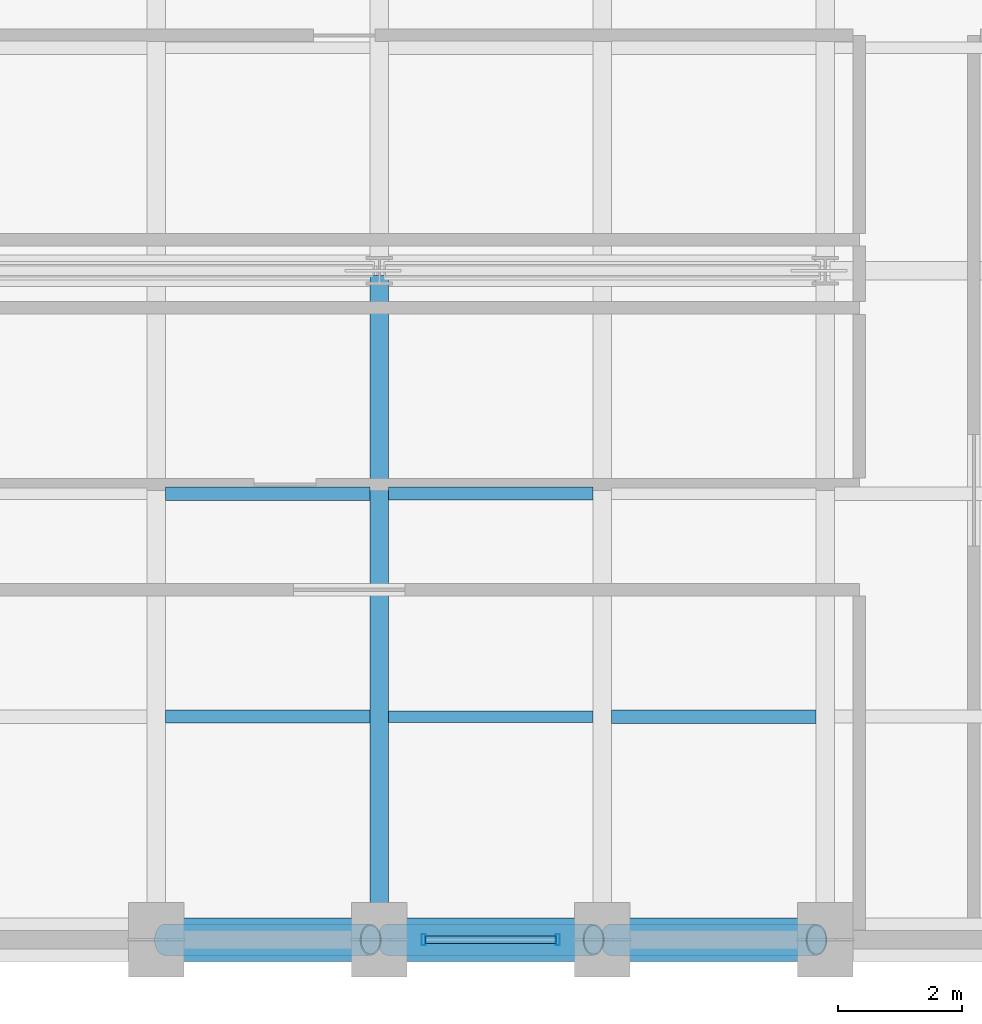
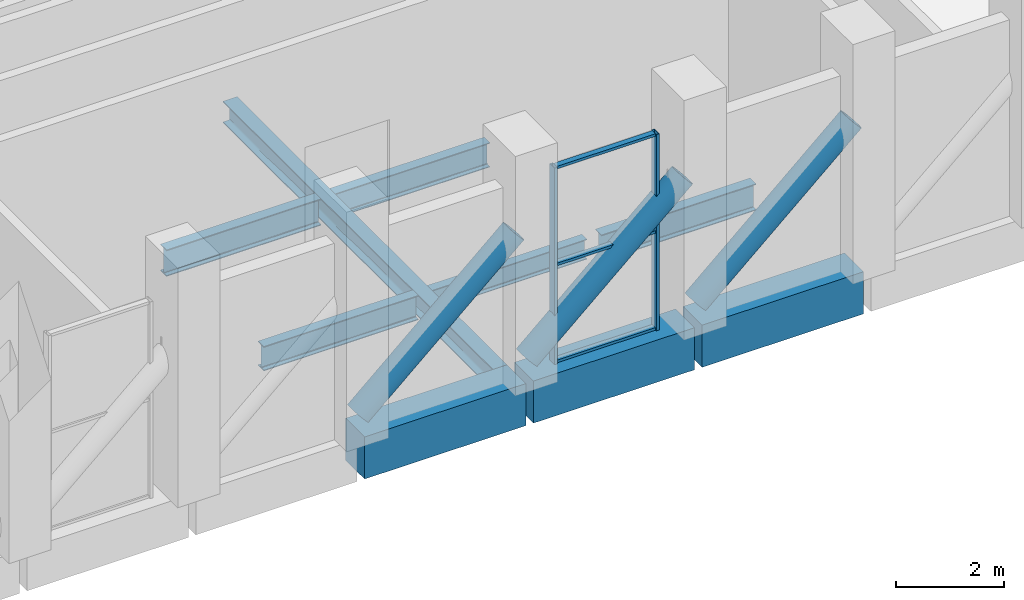
# One storey, part 10 of 27: 9 beams, 8 members, 1 element without a shape of its own.
"""IFC4 building model written with IfcOpenShell, lengths in metres."""

from ifc_helpers import new_model, si_unit, direction, frame, origin, origin_2d, place, context, subcontext, project, spatial, rectangle, hollow_rectangle, hollow_circle, i_section, extrude, material, layer, layer_set, material_profile, profile_set, type_object, element, aggregate, save


model = new_model("IFC4")

# Units and contexts
model_context = context("Model", 3, precision=1e-05, world=origin(), true_north=direction((0.0, 1.0)))
body_context = subcontext(model_context, "Body", "Model", "MODEL_VIEW")
ifc_project = project(units=[si_unit("LENGTHUNIT", "METRE"), si_unit("AREAUNIT", "SQUARE_METRE"), si_unit("VOLUMEUNIT", "CUBIC_METRE"), si_unit("PLANEANGLEUNIT", "RADIAN"), si_unit("MASSUNIT", "GRAM", prefix="KILO")], contexts=[model_context])

# Site, building, storey
site_placement = place(None, origin())
site = spatial("IfcSite", under=ifc_project, at=site_placement, CompositionType="ELEMENT")
building_placement = place(site_placement, origin())
building = spatial("IfcBuilding", under=site, at=building_placement, Name="Solnavia Interchange Tower", CompositionType="ELEMENT")
storey_placement = place(building_placement, frame((0.0, 0.0, 74.699951171875)))
storey = spatial("IfcBuildingStorey", under=building, at=storey_placement, Name="L18", CompositionType="ELEMENT", Elevation=74.699951171875)

# Beams
ifc_material_1 = material(Name="Steel S355", Category="steel")
ifc_material_profile_1 = material_profile(ifc_material_1, i_section(OverallWidth=0.18994140625, OverallDepth=0.449951171875, WebThickness=0.009521484375, FlangeThickness=0.0146484375, FilletRadius=0.02099609375, at=origin_2d()), Name="IPE 450")
ifc_profile_set_1 = profile_set([ifc_material_profile_1], Name="Steel S355")
beam_type_1 = type_object("IfcBeamType", Name="Beam-Joist-IPE450", PredefinedType="JOIST", material=ifc_profile_set_1)
beam_1_placement = place(storey_placement, frame((43.35009765625, 7.199951171875, -0.544921875), z_axis=(1.0, 0.0, 0.0), x_axis=(0.0, 1.0, 0.0)))
element("IfcBeam", 1, at=beam_1_placement, inside=storey, type_object=beam_type_1, Name="JST-L18-E03 East wing secondary joist", PredefinedType="JOIST", context=body_context, shape_type="SweptSolid", body=[
    extrude(i_section(OverallWidth=0.18994140625, OverallDepth=0.449951171875, WebThickness=0.009521484375, FlangeThickness=0.0146484375, FilletRadius=0.02099609375, at=origin_2d()), origin(), (0.0, 0.0, 1.0), 3.2998046875),
])
ifc_material_profile_2 = material_profile(ifc_material_1, i_section(OverallWidth=0.2099609375, OverallDepth=0.550048828125, WebThickness=0.010986328125, FlangeThickness=0.01708984375, FilletRadius=0.02392578125, at=origin_2d()), Name="IPE 550")
ifc_profile_set_2 = profile_set([ifc_material_profile_2], Name="Steel S355")
beam_type_2 = type_object("IfcBeamType", Name="Beam-Joist-IPE550", PredefinedType="JOIST", material=ifc_profile_set_2)
beam_2_placement = place(storey_placement, frame((39.75, 7.199951171875, -0.594970703125), z_axis=(1.0, 0.0, 0.0), x_axis=(0.0, 1.0, 0.0)))
element("IfcBeam", 2, at=beam_2_placement, inside=storey, type_object=beam_type_2, Name="JST-L18-E02 East wing secondary joist", PredefinedType="JOIST", context=body_context, shape_type="SweptSolid", body=[
    extrude(i_section(OverallWidth=0.2099609375, OverallDepth=0.550048828125, WebThickness=0.010986328125, FlangeThickness=0.01708984375, FilletRadius=0.02392578125, at=origin_2d()), origin(), (0.0, 0.0, 1.0), 3.300048828125),
])
beam_3_placement = place(storey_placement, frame((43.35009765625, 10.800048828125, -0.594970703125), z_axis=(1.0, 0.0, 0.0), x_axis=(0.0, 1.0, 0.0)))
element("IfcBeam", 3, at=beam_3_placement, inside=storey, type_object=beam_type_2, Name="JST-L18-E08 East wing secondary joist", PredefinedType="JOIST", context=body_context, shape_type="SweptSolid", body=[
    extrude(i_section(OverallWidth=0.2099609375, OverallDepth=0.550048828125, WebThickness=0.010986328125, FlangeThickness=0.01708984375, FilletRadius=0.02392578125, at=origin_2d()), origin(), (0.0, 0.0, 1.0), 3.2998046875),
])
ifc_material_profile_3 = material_profile(ifc_material_1, i_section(OverallWidth=0.219970703125, OverallDepth=0.60009765625, WebThickness=0.011962890625, FlangeThickness=0.01904296875, FilletRadius=0.02392578125, at=origin_2d()), Name="IPE 600")
ifc_profile_set_3 = profile_set([ifc_material_profile_3], Name="Steel S355")
beam_type_3 = type_object("IfcBeamType", Name="Beam-Joist-IPE600", PredefinedType="JOIST", material=ifc_profile_set_3)
for number, where, z_axis, x_axis, name in (
    (4, (46.949951171875, 7.199951171875, -0.619873046875), (1.0, 0.0, 0.0), (0.0, 1.0, 0.0), "JST-L18-E04 East wing secondary joist"),
    (5, (39.75, 10.800048828125, -0.619873046875), (1.0, 0.0, 0.0), (0.0, 1.0, 0.0), "JST-L18-E07 East wing secondary joist"),
):
    element("IfcBeam", number, at=place(storey_placement, frame(where, z_axis=z_axis, x_axis=x_axis)), inside=storey, type_object=beam_type_3, Name=name, PredefinedType="JOIST", context=body_context, shape_type="SweptSolid", body=[
        extrude(i_section(OverallWidth=0.219970703125, OverallDepth=0.60009765625, WebThickness=0.011962890625, FlangeThickness=0.01904296875, FilletRadius=0.02392578125, at=origin_2d()), origin(), (0.0, 0.0, 1.0), 3.300048828125),
    ])
ifc_material_profile_4 = material_profile(ifc_material_1, i_section(OverallWidth=0.300048828125, OverallDepth=0.489990234375, WebThickness=0.011962890625, FlangeThickness=0.02294921875, FilletRadius=0.027099609375, at=origin_2d()), Name="HEA 500")
ifc_profile_set_4 = profile_set([ifc_material_profile_4], Name="Steel S355")
beam_type_4 = type_object("IfcBeamType", Name="Beam-Primary-HEA500", PredefinedType="BEAM", material=ifc_profile_set_4)
beam_4_placement = place(storey_placement, frame((43.199951171875, 3.679931640625, -0.56494140625), z_axis=(0.0, 1.0, 0.0), x_axis=(-1.0, 0.0, 0.0)))
element("IfcBeam", 6, at=beam_4_placement, inside=storey, type_object=beam_type_4, Name="GRD-L18-EW06 East wing primary floor girder", PredefinedType="BEAM", context=body_context, shape_type="SweptSolid", body=[
    extrude(i_section(OverallWidth=0.300048828125, OverallDepth=0.489990234375, WebThickness=0.011962890625, FlangeThickness=0.02294921875, FilletRadius=0.027099609375, at=origin_2d()), origin(), (0.0, 0.0, 1.0), 10.64013671875),
])
ifc_material_2 = material(Name="Concrete C50/60", Category="concrete")
ifc_material_profile_5 = material_profile(ifc_material_2, rectangle(XDim=0.699951171875, YDim=0.949951171875, at=origin_2d()), Name="RC 700x950")
ifc_profile_set_5 = profile_set([ifc_material_profile_5], Name="Concrete C50/60")
beam_type_5 = type_object("IfcBeamType", Name="Beam-Spandrel-RC700x950", PredefinedType="SPANDREL", material=ifc_profile_set_5)
beam_5_placement = place(storey_placement, frame((39.679931640625, 3.60009765625, -0.474853515625), z_axis=(1.0, 0.0, 0.0), x_axis=(0.0, 1.0, 0.0)))
element("IfcBeam", 7, at=beam_5_placement, inside=storey, type_object=beam_type_5, Name="SPB-L18-13 Framed-tube perimeter spandrel beam", PredefinedType="SPANDREL", context=body_context, shape_type="SweptSolid", body=[
    extrude(rectangle(XDim=0.699951171875, YDim=0.949951171875, at=origin_2d()), origin(), (0.0, 0.0, 1.0), 3.440185546875),
])
beam_6_placement = place(storey_placement, frame((43.280029296875, 3.60009765625, -0.474853515625), z_axis=(1.0, 0.0, 0.0), x_axis=(0.0, 1.0, 0.0)))
element("IfcBeam", 8, at=beam_6_placement, inside=storey, type_object=beam_type_5, Name="SPB-L18-14 Framed-tube perimeter spandrel beam", PredefinedType="SPANDREL", context=body_context, shape_type="SweptSolid", body=[
    extrude(rectangle(XDim=0.699951171875, YDim=0.949951171875, at=origin_2d()), origin(), (0.0, 0.0, 1.0), 3.43994140625),
])
beam_7_placement = place(storey_placement, frame((46.8798828125, 3.60009765625, -0.474853515625), z_axis=(1.0, 0.0, 0.0), x_axis=(0.0, 1.0, 0.0)))
element("IfcBeam", 9, at=beam_7_placement, inside=storey, type_object=beam_type_5, Name="SPB-L18-15 Framed-tube perimeter spandrel beam", PredefinedType="SPANDREL", context=body_context, shape_type="SweptSolid", body=[
    extrude(rectangle(XDim=0.699951171875, YDim=0.949951171875, at=origin_2d()), origin(), (0.0, 0.0, 1.0), 3.440185546875),
])

# Curtain wall, members
ifc_material_3 = material(Name="Aluminium Alloy 6063-T6", Category="aluminium")
ifc_layer = layer(ifc_material_3, 0.199951171875)
ifc_layer_set = layer_set([ifc_layer], Name="Aluminium Alloy 6063-T6")
curtain_wall_type = type_object("IfcCurtainWallType", Name="CurtainWall-Louvre-CTW5", PredefinedType="NOTDEFINED", material=ifc_layer_set)
curtain_wall_placement = place(storey_placement, origin())
curtain_wall = element("IfcCurtainWall", 10, at=curtain_wall_placement, inside=storey, type_object=curtain_wall_type, Name="CTW-L18-L06 CTW-5 curtain wall", PredefinedType="NOTDEFINED")
ifc_material_profile_6 = material_profile(ifc_material_3, hollow_rectangle(XDim=0.06494140625, YDim=0.179931640625, WallThickness=0.00439453125, at=origin_2d()), Name="ALU 180x65x4.5")
ifc_profile_set_6 = profile_set([ifc_material_profile_6], Name="Aluminium Alloy 6063-T6")
member_type_1 = type_object("IfcMemberType", Name="CW-Mullion-CWM-5", PredefinedType="MULLION", material=ifc_profile_set_6)
member_1_placement = place(storey_placement, frame((43.9150390625, 3.60009765625, 0.0), z_axis=(0.0, 0.0, 1.0), x_axis=(1.0, 0.0, 0.0)))
member_1 = element("IfcMember", 11, at=member_1_placement, type_object=member_type_1, Name="CTW-5 mullion 1", PredefinedType="MULLION", context=body_context, shape_type="SweptSolid", body=[
    extrude(hollow_rectangle(XDim=0.06494140625, YDim=0.179931640625, WallThickness=0.00439453125, at=origin_2d()), origin(), (0.0, 0.0, 1.0), 4.429931640625),
])
member_2_placement = place(storey_placement, frame((46.0849609375, 3.60009765625, 0.0), z_axis=(0.0, 0.0, 1.0), x_axis=(1.0, 0.0, 0.0)))
member_2 = element("IfcMember", 12, at=member_2_placement, type_object=member_type_1, Name="CTW-5 mullion 2", PredefinedType="MULLION", context=body_context, shape_type="SweptSolid", body=[
    extrude(hollow_rectangle(XDim=0.06494140625, YDim=0.179931640625, WallThickness=0.00439453125, at=origin_2d()), origin(), (0.0, 0.0, 1.0), 4.429931640625),
])
ifc_material_profile_7 = material_profile(ifc_material_3, hollow_rectangle(XDim=0.06005859375, YDim=0.1201171875, WallThickness=0.00390625, at=origin_2d()), Name="ALU 120x60x4")
ifc_profile_set_7 = profile_set([ifc_material_profile_7], Name="Aluminium Alloy 6063-T6")
member_type_2 = type_object("IfcMemberType", Name="CW-Transom-CWT-5", PredefinedType="USERDEFINED", material=ifc_profile_set_7)
member_3_placement = place(storey_placement, frame((43.947509765625, 3.60009765625, 0.030029296875), z_axis=(1.0, 0.0, 0.0), x_axis=(0.0, 0.0, 1.0)))
member_3 = element("IfcMember", 13, at=member_3_placement, type_object=member_type_2, Name="CTW-5 transom 1.1", ObjectType="TRANSOM", PredefinedType="USERDEFINED", context=body_context, shape_type="SweptSolid", body=[
    extrude(hollow_rectangle(XDim=0.06005859375, YDim=0.1201171875, WallThickness=0.00390625, at=origin_2d()), origin(), (0.0, 0.0, 1.0), 2.10498046875),
])
member_4_placement = place(storey_placement, frame((43.947509765625, 3.60009765625, 2.215087890625), z_axis=(1.0, 0.0, 0.0), x_axis=(0.0, 0.0, 1.0)))
member_4 = element("IfcMember", 14, at=member_4_placement, type_object=member_type_2, Name="CTW-5 transom 1.2", ObjectType="TRANSOM", PredefinedType="USERDEFINED", context=body_context, shape_type="SweptSolid", body=[
    extrude(hollow_rectangle(XDim=0.06005859375, YDim=0.1201171875, WallThickness=0.00390625, at=origin_2d()), origin(), (0.0, 0.0, 1.0), 2.10498046875),
])
member_5_placement = place(storey_placement, frame((43.947509765625, 3.60009765625, 4.400146484375), z_axis=(1.0, 0.0, 0.0), x_axis=(0.0, 0.0, 1.0)))
member_5 = element("IfcMember", 15, at=member_5_placement, type_object=member_type_2, Name="CTW-5 transom 1.3", ObjectType="TRANSOM", PredefinedType="USERDEFINED", context=body_context, shape_type="SweptSolid", body=[
    extrude(hollow_rectangle(XDim=0.06005859375, YDim=0.1201171875, WallThickness=0.00390625, at=origin_2d()), origin(), (0.0, 0.0, 1.0), 2.10498046875),
])
aggregate(curtain_wall, [member_1, member_2, member_3, member_4, member_5])

# Members
ifc_material_4 = material(Name="Steel S460", Category="steel")
ifc_material_profile_8 = material_profile(ifc_material_4, hollow_circle(Radius=0.25390625, WallThickness=0.02490234375, at=origin_2d()), Name="CHS 508x25")
ifc_profile_set_8 = profile_set([ifc_material_profile_8], Name="Steel S460")
member_type_3 = type_object("IfcMemberType", Name="Outrigger-Diag-CHS508", PredefinedType="BRACE", material=ifc_profile_set_8)
member_6_placement = place(storey_placement, frame((39.739990234375, 3.60009765625, 0.300048828125), z_axis=(0.747545781752, 0.0, 0.664210286118), x_axis=(0.0, 1.0, 0.0)))
element("IfcMember", 16, at=member_6_placement, inside=storey, type_object=member_type_3, Name="OTR-L18-BT03 Belt truss diagonal", PredefinedType="BRACE", context=body_context, shape_type="SweptSolid", body=[
    extrude(hollow_circle(Radius=0.25390625, WallThickness=0.02490234375, at=origin_2d()), origin(), (0.0, 0.0, 1.0), 4.44140625),
])
member_7_placement = place(storey_placement, frame((43.340087890625, 3.60009765625, 0.300048828125), z_axis=(0.747521528567, 0.0, 0.664237581238), x_axis=(0.0, 1.0, 0.0)))
element("IfcMember", 17, at=member_7_placement, inside=storey, type_object=member_type_3, Name="OTR-L18-BT04 Belt truss diagonal", PredefinedType="BRACE", context=body_context, shape_type="SweptSolid", body=[
    extrude(hollow_circle(Radius=0.25390625, WallThickness=0.02490234375, at=origin_2d()), origin(), (0.0, 0.0, 1.0), 4.441162109375),
])
member_8_placement = place(storey_placement, frame((46.93994140625, 3.60009765625, 0.300048828125), z_axis=(0.747545781752, 0.0, 0.664210286118), x_axis=(0.0, 1.0, 0.0)))
element("IfcMember", 18, at=member_8_placement, inside=storey, type_object=member_type_3, Name="OTR-L18-BT05 Belt truss diagonal", PredefinedType="BRACE", context=body_context, shape_type="SweptSolid", body=[
    extrude(hollow_circle(Radius=0.25390625, WallThickness=0.02490234375, at=origin_2d()), origin(), (0.0, 0.0, 1.0), 4.44140625),
])

save(model, "model.ifc")
